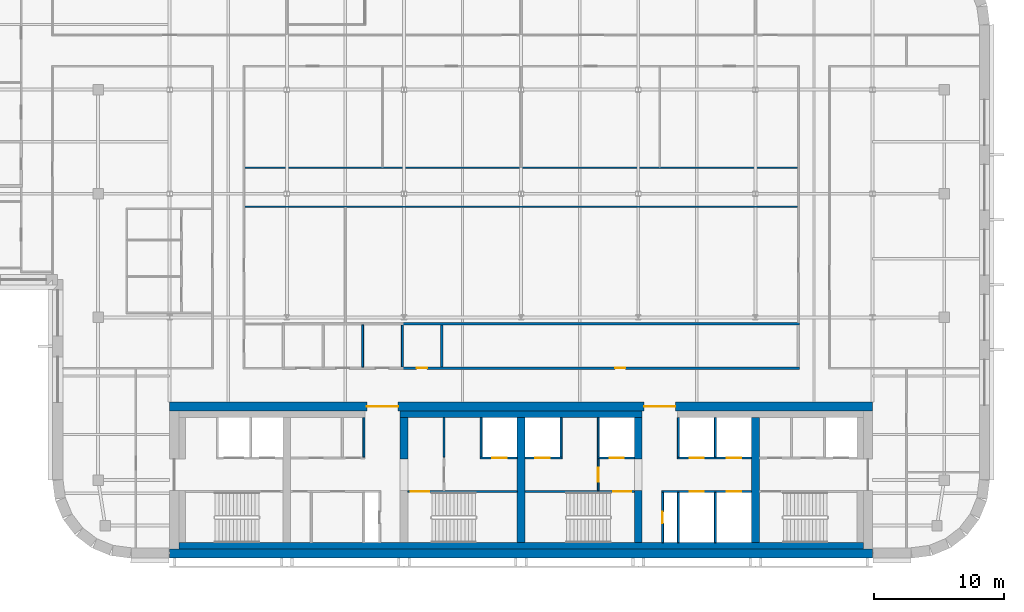
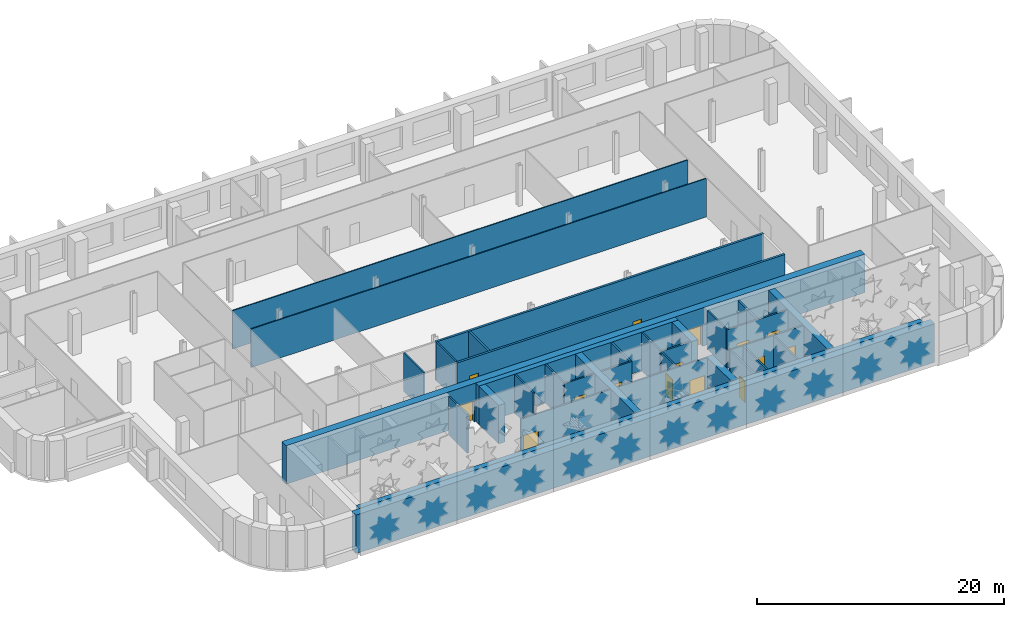
# One storey, part 9 of 18: 34 walls, 15 doors, 15 openings.
"""IFC4 building model written with IfcOpenShell, lengths in metres."""

from ifc_helpers import new_model, si_unit, direction, frame, frame_2d, origin, place, context, subcontext, project, spatial, rectangle, extrude, material, layer, layer_set, type_object, element, fill, save


model = new_model("IFC4")

# Units and contexts
model_context = context("Model", 3, precision=1e-05, world=origin(), true_north=direction((0.0, 1.0)))
body_context = subcontext(model_context, "Body", "Model", "MODEL_VIEW")
ifc_project = project(units=[si_unit("LENGTHUNIT", "METRE"), si_unit("AREAUNIT", "SQUARE_METRE"), si_unit("VOLUMEUNIT", "CUBIC_METRE"), si_unit("PLANEANGLEUNIT", "RADIAN"), si_unit("MASSUNIT", "GRAM", prefix="KILO")], contexts=[model_context])

# Site, building, storey
site_placement = place(None, origin())
site = spatial("IfcSite", under=ifc_project, at=site_placement, CompositionType="ELEMENT")
building_placement = place(site_placement, origin())
building = spatial("IfcBuilding", under=site, at=building_placement, Name="Zellij Exchange Tower", CompositionType="ELEMENT")
storey_placement = place(building_placement, frame((0.0, 0.0, 240.5)))
storey = spatial("IfcBuildingStorey", under=building, at=storey_placement, Name="L56", CompositionType="ELEMENT", Elevation=240.5)

# Walls
ifc_material_1 = material(Name="Concrete C50/60", Category="concrete")
ifc_layer_1 = layer(ifc_material_1, 0.60009765625)
ifc_layer_set_1 = layer_set([ifc_layer_1], Name="Concrete C50/60")
wall_type_1 = type_object("IfcWallType", Name="CORE-CW 600 C50/60", PredefinedType="SHEAR", material=ifc_layer_set_1)
wall_1_placement = place(storey_placement, frame((-9.0, -6.375, 0.0), z_axis=(0.0, 0.0, 1.0), x_axis=(0.0, 1.0, 0.0)))
element("IfcWall", 1, at=wall_1_placement, inside=storey, type_object=wall_type_1, Name="Core cross wall pier x -9 b L56", PredefinedType="SHEAR", context=body_context, shape_type="SweptSolid", body=[
    extrude(rectangle(XDim=3.175048828125, YDim=0.60009765625, at=frame_2d((1.58740234375, 0.0))), origin(), (0.0, 0.0, 1.0), 3.800048828125),
])
wall_2_placement = place(storey_placement, frame((0.0, -12.800048828125, 0.0), z_axis=(0.0, 0.0, 1.0), x_axis=(0.0, 1.0, 0.0)))
element("IfcWall", 2, at=wall_2_placement, inside=storey, type_object=wall_type_1, Name="Core cross wall x 0 L56", PredefinedType="SHEAR", context=body_context, shape_type="SweptSolid", body=[
    extrude(rectangle(XDim=9.60009765625, YDim=0.60009765625, at=frame_2d((4.800048828125, 0.0))), origin(), (0.0, 0.0, 1.0), 3.800048828125),
])
wall_3_placement = place(storey_placement, frame((9.0, -12.800048828125, 0.0), z_axis=(0.0, 0.0, 1.0), x_axis=(0.0, 1.0, 0.0)))
element("IfcWall", 3, at=wall_3_placement, inside=storey, type_object=wall_type_1, Name="Core cross wall pier x 9 a L56", PredefinedType="SHEAR", context=body_context, shape_type="SweptSolid", body=[
    extrude(rectangle(XDim=4.0, YDim=0.60009765625, at=frame_2d((2.0, 0.0))), origin(), (0.0, 0.0, 1.0), 3.800048828125),
])
wall_4_placement = place(storey_placement, frame((9.0, -6.375, 0.0), z_axis=(0.0, 0.0, 1.0), x_axis=(0.0, 1.0, 0.0)))
element("IfcWall", 4, at=wall_4_placement, inside=storey, type_object=wall_type_1, Name="Core cross wall pier x 9 b L56", PredefinedType="SHEAR", context=body_context, shape_type="SweptSolid", body=[
    extrude(rectangle(XDim=3.175048828125, YDim=0.60009765625, at=frame_2d((1.58740234375, 0.0))), origin(), (0.0, 0.0, 1.0), 3.800048828125),
])
wall_5_placement = place(storey_placement, frame((18.0, -12.800048828125, 0.0), z_axis=(0.0, 0.0, 1.0), x_axis=(0.0, 1.0, 0.0)))
element("IfcWall", 5, at=wall_5_placement, inside=storey, type_object=wall_type_1, Name="Core cross wall x 18 L56", PredefinedType="SHEAR", context=body_context, shape_type="SweptSolid", body=[
    extrude(rectangle(XDim=9.60009765625, YDim=0.60009765625, at=frame_2d((4.800048828125, 0.0))), origin(), (0.0, 0.0, 1.0), 3.800048828125),
])
ifc_material_2 = material(Name="Concrete C30/37", Category="concrete")
ifc_layer_2 = layer(ifc_material_2, 0.5)
ifc_layer_set_2 = layer_set([ifc_layer_2], Name="Concrete C30/37")
wall_type_2 = type_object("IfcWallType", Name="CORE-LW 500 C30/37", PredefinedType="SHEAR", material=ifc_layer_set_2)
wall_6_placement = place(storey_placement, frame((-9.300048828125, -2.949951171875, 0.0), z_axis=(0.0, 0.0, 1.0), x_axis=(1.0, 0.0, 0.0)))
element("IfcWall", 6, at=wall_6_placement, inside=storey, type_object=wall_type_2, Name="Core wall lining front.1 L56", PredefinedType="SHEAR", context=body_context, shape_type="SweptSolid", body=[
    extrude(rectangle(XDim=18.60009765625, YDim=0.5, at=frame_2d((9.300048828125, 0.0))), origin(), (0.0, 0.0, 1.0), 3.800048828125),
])
wall_7_placement = place(storey_placement, frame((-26.300048828125, -13.050048828125, 0.0), z_axis=(0.0, 0.0, 1.0), x_axis=(1.0, 0.0, 0.0)))
element("IfcWall", 7, at=wall_7_placement, inside=storey, type_object=wall_type_2, Name="Core wall lining rear.0 L56", PredefinedType="SHEAR", context=body_context, shape_type="SweptSolid", body=[
    extrude(rectangle(XDim=52.60009765625, YDim=0.5, at=frame_2d((26.300048828125, 0.0))), origin(), (0.0, 0.0, 1.0), 3.800048828125),
])

# Wall, opening, door
ifc_material_3 = material(Name="Gypsum shaft wall system")
ifc_layer_3 = layer(ifc_material_3, 0.14990234375)
ifc_layer_set_3 = layer_set([ifc_layer_3], Name="Gypsum shaft wall system")
wall_type_3 = type_object("IfcWallType", Name="CORE-PW 150 Firefighting lobby wall", PredefinedType="PARTITIONING", material=ifc_layer_set_3)
wall_8_placement = place(storey_placement, frame((5.925048828125, -8.800048828125, 0.0), z_axis=(0.0, 0.0, 1.0), x_axis=(0.0, 1.0, 0.0)))
wall_8 = element("IfcWall", 8, at=wall_8_placement, inside=storey, type_object=wall_type_3, Name="Firefighting lobby wall L56", PredefinedType="PARTITIONING", context=body_context, shape_type="SweptSolid", body=[
    extrude(rectangle(XDim=2.425048828125, YDim=0.14990234375, at=frame_2d((1.21240234375, 0.0))), origin(), (0.0, 0.0, 1.0), 3.800048828125),
])
opening_1_placement = place(wall_8_placement, frame((0.662109375, 0.0, 0.0)))
opening_1 = element("IfcOpeningElement", 9, at=opening_1_placement, cuts=wall_8, Name="Opening CA-29.15", PredefinedType="OPENING", context=body_context, shape_type="SweptSolid", body=[
    extrude(rectangle(XDim=1.10009765625, YDim=2.10009765625, at=frame_2d((0.550048828125, 1.050048828125))), frame((0.0, 0.0869140625, 0.0), z_axis=(0.0, -1.0, 0.0), x_axis=(1.0, 0.0, 0.0)), (0.0, 0.0, 1.0), 0.173828125),
])
ifc_material_4 = material(Name="Hollow metal fire door")
door_type_1 = type_object("IfcDoorType", Name="CORE-D F Firefighting lobby door 1100x2100 1 HR", OperationType="NOTDEFINED", PredefinedType="DOOR", material=ifc_material_4)
door_1_placement = place(opening_1_placement, origin())
door_1 = element("IfcDoor", 10, at=door_1_placement, inside=storey, type_object=door_type_1, Name="Firefighting lobby door CA-29.15", OperationType="SINGLE_SWING_RIGHT", OverallHeight=2.10009765625, OverallWidth=1.10009765625, PredefinedType="DOOR", context=body_context, shape_type="SweptSolid", body=[
    extrude(rectangle(XDim=1.10009765625, YDim=2.10009765625, at=frame_2d((0.550048828125, 1.050048828125))), frame((0.0, 0.02490234375, 0.0), z_axis=(0.0, -1.0, 0.0), x_axis=(1.0, 0.0, 0.0)), (0.0, 0.0, 1.0), 0.050048828125),
])
fill(opening_1, door_1)

# Walls
ifc_material_5 = material(Name="Gypsum board partition")
ifc_layer_4 = layer(ifc_material_5, 0.14990234375)
ifc_layer_set_4 = layer_set([ifc_layer_4], Name="Gypsum board partition")
wall_type_4 = type_object("IfcWallType", Name="CORE-PW 150 Lift lobby wall", PredefinedType="PARTITIONING", material=ifc_layer_set_4)
for number, where, z_axis, x_axis, name in (
    (11, (-12.074951171875, -6.22509765625, 0.0), (0.0, 0.0, 1.0), (0.0, 1.0, 0.0), "Lift lobby wall L56"),
    (12, (-5.925048828125, -6.22509765625, 0.0), (0.0, 0.0, 1.0), (0.0, 1.0, 0.0), "Lift lobby wall L56"),
):
    element("IfcWall", number, at=place(storey_placement, frame(where, z_axis=z_axis, x_axis=x_axis)), inside=storey, type_object=wall_type_4, Name=name, PredefinedType="PARTITIONING", context=body_context, shape_type="SweptSolid", body=[
        extrude(rectangle(XDim=3.025146484375, YDim=0.14990234375, at=frame_2d((1.5126953125, 0.0))), origin(), (0.0, 0.0, 1.0), 3.800048828125),
    ])

# Wall, opening, door
wall_9_placement = place(storey_placement, frame((10.875, -12.800048828125, 0.0), z_axis=(0.0, 0.0, 1.0), x_axis=(0.0, 1.0, 0.0)))
wall_9 = element("IfcWall", 13, at=wall_9_placement, inside=storey, type_object=wall_type_4, Name="Lift lobby wall L56", PredefinedType="PARTITIONING", context=body_context, shape_type="SweptSolid", body=[
    extrude(rectangle(XDim=3.85009765625, YDim=0.14990234375, at=frame_2d((1.925048828125, 0.0))), origin(), (0.0, 0.0, 1.0), 3.800048828125),
])
opening_2_placement = place(wall_9_placement, frame((1.47509765625, 0.0, 0.0)))
opening_2 = element("IfcOpeningElement", 14, at=opening_2_placement, cuts=wall_9, Name="Opening CA-29.19", PredefinedType="OPENING", context=body_context, shape_type="SweptSolid", body=[
    extrude(rectangle(XDim=0.89990234375, YDim=2.10009765625, at=frame_2d((0.449951171875, 1.050048828125))), frame((0.0, 0.0869140625, 0.0), z_axis=(0.0, -1.0, 0.0), x_axis=(1.0, 0.0, 0.0)), (0.0, 0.0, 1.0), 0.173828125),
])
door_type_2 = type_object("IfcDoorType", Name="CORE-D RD Riser door 900x2100 1.5 HR", OperationType="NOTDEFINED", PredefinedType="DOOR", material=ifc_material_4)
door_2_placement = place(opening_2_placement, origin())
door_2 = element("IfcDoor", 15, at=door_2_placement, inside=storey, type_object=door_type_2, Name="Riser door CA-29.19", OperationType="SINGLE_SWING_LEFT", OverallHeight=2.10009765625, OverallWidth=0.89990234375, PredefinedType="DOOR", context=body_context, shape_type="SweptSolid", body=[
    extrude(rectangle(XDim=0.89990234375, YDim=2.10009765625, at=frame_2d((0.449951171875, 1.050048828125))), frame((0.0, 0.02490234375, 0.0), z_axis=(0.0, -1.0, 0.0), x_axis=(1.0, 0.0, 0.0)), (0.0, 0.0, 1.0), 0.050048828125),
])
fill(opening_2, door_2)

# Walls
ifc_layer_5 = layer(ifc_material_3, 0.14990234375)
ifc_layer_set_5 = layer_set([ifc_layer_5], Name="Gypsum shaft wall system")
wall_type_5 = type_object("IfcWallType", Name="CORE-PW 150 Lift shaft wall", PredefinedType="PARTITIONING", material=ifc_layer_set_5)
for number, where, z_axis, x_axis, name in (
    (16, (-3.074951171875, -6.22509765625, 0.0), (0.0, 0.0, 1.0), (0.0, 1.0, 0.0), "Lift shaft wall L56"),
    (17, (3.074951171875, -6.22509765625, 0.0), (0.0, 0.0, 1.0), (0.0, 1.0, 0.0), "Lift shaft wall L56"),
    (18, (5.925048828125, -6.22509765625, 0.0), (0.0, 0.0, 1.0), (0.0, 1.0, 0.0), "Lift shaft wall L56"),
    (19, (12.074951171875, -6.22509765625, 0.0), (0.0, 0.0, 1.0), (0.0, 1.0, 0.0), "Lift shaft wall L56"),
    (20, (14.925048828125, -6.22509765625, 0.0), (0.0, 0.0, 1.0), (0.0, 1.0, 0.0), "Lift shaft wall L56"),
):
    element("IfcWall", number, at=place(storey_placement, frame(where, z_axis=z_axis, x_axis=x_axis)), inside=storey, type_object=wall_type_5, Name=name, PredefinedType="PARTITIONING", context=body_context, shape_type="SweptSolid", body=[
        extrude(rectangle(XDim=3.025146484375, YDim=0.14990234375, at=frame_2d((1.5126953125, 0.0))), origin(), (0.0, 0.0, 1.0), 3.800048828125),
    ])
for number, where, z_axis, x_axis, name in (
    (21, (12.074951171875, -12.800048828125, 0.0), (0.0, 0.0, 1.0), (0.0, 1.0, 0.0), "Lift shaft wall L56"),
    (22, (14.925048828125, -12.800048828125, 0.0), (0.0, 0.0, 1.0), (0.0, 1.0, 0.0), "Lift shaft wall L56"),
):
    element("IfcWall", number, at=place(storey_placement, frame(where, z_axis=z_axis, x_axis=x_axis)), inside=storey, type_object=wall_type_5, Name=name, PredefinedType="PARTITIONING", context=body_context, shape_type="SweptSolid", body=[
        extrude(rectangle(XDim=3.85009765625, YDim=0.14990234375, at=frame_2d((1.925048828125, 0.0))), origin(), (0.0, 0.0, 1.0), 3.800048828125),
    ])

# Wall, opening, door
wall_10_placement = place(storey_placement, frame((-3.14990234375, -6.300048828125, 0.0), z_axis=(0.0, 0.0, 1.0), x_axis=(1.0, 0.0, 0.0)))
wall_10 = element("IfcWall", 23, at=wall_10_placement, inside=storey, type_object=wall_type_5, Name="Lift shaft wall L56", PredefinedType="PARTITIONING", context=body_context, shape_type="SweptSolid", body=[
    extrude(rectangle(XDim=2.849853515625, YDim=0.14990234375, at=frame_2d((1.4248046875, 0.0))), origin(), (0.0, 0.0, 1.0), 3.800048828125),
])
opening_3_placement = place(wall_10_placement, frame((0.949951171875, 0.0, 0.0)))
opening_3 = element("IfcOpeningElement", 24, at=opening_3_placement, cuts=wall_10, Name="Opening CA-29.13", PredefinedType="OPENING", context=body_context, shape_type="SweptSolid", body=[
    extrude(rectangle(XDim=1.10009765625, YDim=2.10009765625, at=frame_2d((0.550048828125, 1.050048828125))), frame((0.0, 0.0869140625, 0.0), z_axis=(0.0, -1.0, 0.0), x_axis=(1.0, 0.0, 0.0)), (0.0, 0.0, 1.0), 0.173828125),
])
door_type_3 = type_object("IfcDoorType", Name="CORE-D LD Lift landing door 1100x2100 1.5 HR", OperationType="NOTDEFINED", PredefinedType="DOOR", material=ifc_material_4)
door_3_placement = place(opening_3_placement, origin())
door_3 = element("IfcDoor", 25, at=door_3_placement, inside=storey, type_object=door_type_3, Name="Lift landing door CA-29.13", OperationType="SLIDING_TO_LEFT", OverallHeight=2.10009765625, OverallWidth=1.10009765625, PredefinedType="DOOR", context=body_context, shape_type="SweptSolid", body=[
    extrude(rectangle(XDim=1.10009765625, YDim=2.10009765625, at=frame_2d((0.550048828125, 1.050048828125))), frame((0.0, 0.02490234375, 0.0), z_axis=(0.0, -1.0, 0.0), x_axis=(1.0, 0.0, 0.0)), (0.0, 0.0, 1.0), 0.050048828125),
])
fill(opening_3, door_3)

wall_11_placement = place(storey_placement, frame((0.300048828125, -6.300048828125, 0.0), z_axis=(0.0, 0.0, 1.0), x_axis=(1.0, 0.0, 0.0)))
wall_11 = element("IfcWall", 26, at=wall_11_placement, inside=storey, type_object=wall_type_5, Name="Lift shaft wall L56", PredefinedType="PARTITIONING", context=body_context, shape_type="SweptSolid", body=[
    extrude(rectangle(XDim=2.849853515625, YDim=0.14990234375, at=frame_2d((1.4248046875, 0.0))), origin(), (0.0, 0.0, 1.0), 3.800048828125),
])
opening_4_placement = place(wall_11_placement, frame((0.800048828125, 0.0, 0.0)))
opening_4 = element("IfcOpeningElement", 27, at=opening_4_placement, cuts=wall_11, Name="Opening CA-29.14", PredefinedType="OPENING", context=body_context, shape_type="SweptSolid", body=[
    extrude(rectangle(XDim=1.10009765625, YDim=2.10009765625, at=frame_2d((0.550048828125, 1.050048828125))), frame((0.0, 0.0869140625, 0.0), z_axis=(0.0, -1.0, 0.0), x_axis=(1.0, 0.0, 0.0)), (0.0, 0.0, 1.0), 0.173828125),
])
door_4_placement = place(opening_4_placement, origin())
door_4 = element("IfcDoor", 28, at=door_4_placement, inside=storey, type_object=door_type_3, Name="Lift landing door CA-29.14", OperationType="SLIDING_TO_RIGHT", OverallHeight=2.10009765625, OverallWidth=1.10009765625, PredefinedType="DOOR", context=body_context, shape_type="SweptSolid", body=[
    extrude(rectangle(XDim=1.10009765625, YDim=2.10009765625, at=frame_2d((0.550048828125, 1.050048828125))), frame((0.0, 0.02490234375, 0.0), z_axis=(0.0, -1.0, 0.0), x_axis=(1.0, 0.0, 0.0)), (0.0, 0.0, 1.0), 0.050048828125),
])
fill(opening_4, door_4)

wall_12_placement = place(storey_placement, frame((5.85009765625, -6.300048828125, 0.0), z_axis=(0.0, 0.0, 1.0), x_axis=(1.0, 0.0, 0.0)))
wall_12 = element("IfcWall", 29, at=wall_12_placement, inside=storey, type_object=wall_type_5, Name="Lift shaft wall L56", PredefinedType="PARTITIONING", context=body_context, shape_type="SweptSolid", body=[
    extrude(rectangle(XDim=2.849853515625, YDim=0.14990234375, at=frame_2d((1.4248046875, 0.0))), origin(), (0.0, 0.0, 1.0), 3.800048828125),
])
opening_5_placement = place(wall_12_placement, frame((0.949951171875, 0.0, 0.0)))
opening_5 = element("IfcOpeningElement", 30, at=opening_5_placement, cuts=wall_12, Name="Opening CA-29.16", PredefinedType="OPENING", context=body_context, shape_type="SweptSolid", body=[
    extrude(rectangle(XDim=1.10009765625, YDim=2.10009765625, at=frame_2d((0.550048828125, 1.050048828125))), frame((0.0, 0.0869140625, 0.0), z_axis=(0.0, -1.0, 0.0), x_axis=(1.0, 0.0, 0.0)), (0.0, 0.0, 1.0), 0.173828125),
])
door_5_placement = place(opening_5_placement, origin())
door_5 = element("IfcDoor", 31, at=door_5_placement, inside=storey, type_object=door_type_3, Name="Lift landing door CA-29.16", OperationType="SLIDING_TO_RIGHT", OverallHeight=2.10009765625, OverallWidth=1.10009765625, PredefinedType="DOOR", context=body_context, shape_type="SweptSolid", body=[
    extrude(rectangle(XDim=1.10009765625, YDim=2.10009765625, at=frame_2d((0.550048828125, 1.050048828125))), frame((0.0, 0.02490234375, 0.0), z_axis=(0.0, -1.0, 0.0), x_axis=(1.0, 0.0, 0.0)), (0.0, 0.0, 1.0), 0.050048828125),
])
fill(opening_5, door_5)

# Wall, openings, doors
wall_13_placement = place(storey_placement, frame((12.0, -6.300048828125, 0.0), z_axis=(0.0, 0.0, 1.0), x_axis=(1.0, 0.0, 0.0)))
wall_13 = element("IfcWall", 32, at=wall_13_placement, inside=storey, type_object=wall_type_5, Name="Lift shaft wall L56", PredefinedType="PARTITIONING", context=body_context, shape_type="SweptSolid", body=[
    extrude(rectangle(XDim=5.699951171875, YDim=0.14990234375, at=frame_2d((2.85009765625, 0.0))), origin(), (0.0, 0.0, 1.0), 3.800048828125),
])
opening_6_placement = place(wall_13_placement, frame((0.949951171875, 0.0, 0.0)))
opening_6 = element("IfcOpeningElement", 33, at=opening_6_placement, cuts=wall_13, Name="Opening CA-29.21", PredefinedType="OPENING", context=body_context, shape_type="SweptSolid", body=[
    extrude(rectangle(XDim=1.10009765625, YDim=2.10009765625, at=frame_2d((0.550048828125, 1.050048828125))), frame((0.0, 0.0869140625, 0.0), z_axis=(0.0, -1.0, 0.0), x_axis=(1.0, 0.0, 0.0)), (0.0, 0.0, 1.0), 0.173828125),
])
opening_7_placement = place(wall_13_placement, frame((3.800048828125, 0.0, 0.0)))
opening_7 = element("IfcOpeningElement", 34, at=opening_7_placement, cuts=wall_13, Name="Opening CA-29.23", PredefinedType="OPENING", context=body_context, shape_type="SweptSolid", body=[
    extrude(rectangle(XDim=1.10009765625, YDim=2.10009765625, at=frame_2d((0.550048828125, 1.050048828125))), frame((0.0, 0.0869140625, 0.0), z_axis=(0.0, -1.0, 0.0), x_axis=(1.0, 0.0, 0.0)), (0.0, 0.0, 1.0), 0.173828125),
])
door_6_placement = place(opening_6_placement, origin())
door_6 = element("IfcDoor", 35, at=door_6_placement, inside=storey, type_object=door_type_3, Name="Lift landing door CA-29.21", OperationType="SLIDING_TO_LEFT", OverallHeight=2.10009765625, OverallWidth=1.10009765625, PredefinedType="DOOR", context=body_context, shape_type="SweptSolid", body=[
    extrude(rectangle(XDim=1.10009765625, YDim=2.10009765625, at=frame_2d((0.550048828125, 1.050048828125))), frame((0.0, 0.02490234375, 0.0), z_axis=(0.0, -1.0, 0.0), x_axis=(1.0, 0.0, 0.0)), (0.0, 0.0, 1.0), 0.050048828125),
])
fill(opening_6, door_6)
door_7_placement = place(opening_7_placement, origin())
door_7 = element("IfcDoor", 36, at=door_7_placement, inside=storey, type_object=door_type_3, Name="Lift landing door CA-29.23", OperationType="SLIDING_TO_LEFT", OverallHeight=2.10009765625, OverallWidth=1.10009765625, PredefinedType="DOOR", context=body_context, shape_type="SweptSolid", body=[
    extrude(rectangle(XDim=1.10009765625, YDim=2.10009765625, at=frame_2d((0.550048828125, 1.050048828125))), frame((0.0, 0.02490234375, 0.0), z_axis=(0.0, -1.0, 0.0), x_axis=(1.0, 0.0, 0.0)), (0.0, 0.0, 1.0), 0.050048828125),
])
fill(opening_7, door_7)

wall_14_placement = place(storey_placement, frame((10.800048828125, -8.875, 0.0), z_axis=(0.0, 0.0, 1.0), x_axis=(1.0, 0.0, 0.0)))
wall_14 = element("IfcWall", 37, at=wall_14_placement, inside=storey, type_object=wall_type_5, Name="Lift shaft wall L56", PredefinedType="PARTITIONING", context=body_context, shape_type="SweptSolid", body=[
    extrude(rectangle(XDim=6.89990234375, YDim=0.14990234375, at=frame_2d((3.449951171875, 0.0))), origin(), (0.0, 0.0, 1.0), 3.800048828125),
])
opening_8_placement = place(wall_14_placement, frame((2.14990234375, 0.0, 0.0)))
opening_8 = element("IfcOpeningElement", 38, at=opening_8_placement, cuts=wall_14, Name="Opening CA-29.20", PredefinedType="OPENING", context=body_context, shape_type="SweptSolid", body=[
    extrude(rectangle(XDim=1.10009765625, YDim=2.10009765625, at=frame_2d((0.550048828125, 1.050048828125))), frame((0.0, 0.0869140625, 0.0), z_axis=(0.0, -1.0, 0.0), x_axis=(1.0, 0.0, 0.0)), (0.0, 0.0, 1.0), 0.173828125),
])
opening_9_placement = place(wall_14_placement, frame((5.0, 0.0, 0.0)))
opening_9 = element("IfcOpeningElement", 39, at=opening_9_placement, cuts=wall_14, Name="Opening CA-29.22", PredefinedType="OPENING", context=body_context, shape_type="SweptSolid", body=[
    extrude(rectangle(XDim=1.10009765625, YDim=2.10009765625, at=frame_2d((0.550048828125, 1.050048828125))), frame((0.0, 0.0869140625, 0.0), z_axis=(0.0, -1.0, 0.0), x_axis=(1.0, 0.0, 0.0)), (0.0, 0.0, 1.0), 0.173828125),
])
door_8_placement = place(opening_8_placement, origin())
door_8 = element("IfcDoor", 40, at=door_8_placement, inside=storey, type_object=door_type_3, Name="Lift landing door CA-29.20", OperationType="SLIDING_TO_RIGHT", OverallHeight=2.10009765625, OverallWidth=1.10009765625, PredefinedType="DOOR", context=body_context, shape_type="SweptSolid", body=[
    extrude(rectangle(XDim=1.10009765625, YDim=2.10009765625, at=frame_2d((0.550048828125, 1.050048828125))), frame((0.0, 0.02490234375, 0.0), z_axis=(0.0, -1.0, 0.0), x_axis=(1.0, 0.0, 0.0)), (0.0, 0.0, 1.0), 0.050048828125),
])
fill(opening_8, door_8)
door_9_placement = place(opening_9_placement, origin())
door_9 = element("IfcDoor", 41, at=door_9_placement, inside=storey, type_object=door_type_3, Name="Lift landing door CA-29.22", OperationType="SLIDING_TO_RIGHT", OverallHeight=2.10009765625, OverallWidth=1.10009765625, PredefinedType="DOOR", context=body_context, shape_type="SweptSolid", body=[
    extrude(rectangle(XDim=1.10009765625, YDim=2.10009765625, at=frame_2d((0.550048828125, 1.050048828125))), frame((0.0, 0.02490234375, 0.0), z_axis=(0.0, -1.0, 0.0), x_axis=(1.0, 0.0, 0.0)), (0.0, 0.0, 1.0), 0.050048828125),
])
fill(opening_9, door_9)

ifc_layer_6 = layer(ifc_material_1, 0.699951171875)
ifc_layer_set_6 = layer_set([ifc_layer_6], Name="Concrete C50/60")
wall_type_6 = type_object("IfcWallType", Name="CORE-SW 700 C50/60", PredefinedType="SHEAR", material=ifc_layer_set_6)
wall_15_placement = place(storey_placement, frame((-27.0, -2.35009765625, 0.0), z_axis=(0.0, 0.0, 1.0), x_axis=(1.0, 0.0, 0.0)))
wall_15 = element("IfcWall", 42, at=wall_15_placement, inside=storey, type_object=wall_type_6, Name="Core shear wall front L56", PredefinedType="SHEAR", context=body_context, shape_type="SweptSolid", body=[
    extrude(rectangle(XDim=54.0, YDim=0.699951171875, at=frame_2d((27.0, 0.0))), origin(), (0.0, 0.0, 1.0), 3.800048828125),
])
opening_10_placement = place(wall_15_placement, frame((15.14990234375, 0.0, 0.0)))
opening_10 = element("IfcOpeningElement", 43, at=opening_10_placement, cuts=wall_15, Name="Opening CA-29.10", PredefinedType="OPENING", context=body_context, shape_type="SweptSolid", body=[
    extrude(rectangle(XDim=2.39990234375, YDim=2.10009765625, at=frame_2d((1.199951171875, 1.050048828125))), frame((0.0, 0.36181640625, 0.0), z_axis=(0.0, -1.0, 0.0), x_axis=(1.0, 0.0, 0.0)), (0.0, 0.0, 1.0), 0.723876953125),
])
opening_11_placement = place(wall_15_placement, frame((36.449951171875, 0.0, 0.0)))
opening_11 = element("IfcOpeningElement", 44, at=opening_11_placement, cuts=wall_15, Name="Opening CA-29.18", PredefinedType="OPENING", context=body_context, shape_type="SweptSolid", body=[
    extrude(rectangle(XDim=2.39990234375, YDim=2.10009765625, at=frame_2d((1.199951171875, 1.050048828125))), frame((0.0, 0.36181640625, 0.0), z_axis=(0.0, -1.0, 0.0), x_axis=(1.0, 0.0, 0.0)), (0.0, 0.0, 1.0), 0.723876953125),
])
door_type_4 = type_object("IfcDoorType", Name="CORE-D CE Core entrance door 2400x2100 20 MIN", OperationType="NOTDEFINED", PredefinedType="DOOR", material=ifc_material_4)
door_10_placement = place(opening_10_placement, origin())
door_10 = element("IfcDoor", 45, at=door_10_placement, inside=storey, type_object=door_type_4, Name="Core entrance door CA-29.10", OperationType="DOUBLE_DOOR_SINGLE_SWING", OverallHeight=2.10009765625, OverallWidth=2.39990234375, PredefinedType="DOOR", context=body_context, shape_type="SweptSolid", body=[
    extrude(rectangle(XDim=2.39990234375, YDim=2.10009765625, at=frame_2d((1.199951171875, 1.050048828125))), frame((0.0, 0.02490234375, 0.0), z_axis=(0.0, -1.0, 0.0), x_axis=(1.0, 0.0, 0.0)), (0.0, 0.0, 1.0), 0.050048828125),
])
fill(opening_10, door_10)
door_11_placement = place(opening_11_placement, origin())
door_11 = element("IfcDoor", 46, at=door_11_placement, inside=storey, type_object=door_type_4, Name="Core entrance door CA-29.18", OperationType="DOUBLE_DOOR_SINGLE_SWING", OverallHeight=2.10009765625, OverallWidth=2.39990234375, PredefinedType="DOOR", context=body_context, shape_type="SweptSolid", body=[
    extrude(rectangle(XDim=2.39990234375, YDim=2.10009765625, at=frame_2d((1.199951171875, 1.050048828125))), frame((0.0, 0.02490234375, 0.0), z_axis=(0.0, -1.0, 0.0), x_axis=(1.0, 0.0, 0.0)), (0.0, 0.0, 1.0), 0.050048828125),
])
fill(opening_11, door_11)

# Wall
wall_16_placement = place(storey_placement, frame((-27.0, -13.64990234375, 0.0), z_axis=(0.0, 0.0, 1.0), x_axis=(1.0, 0.0, 0.0)))
element("IfcWall", 47, at=wall_16_placement, inside=storey, type_object=wall_type_6, Name="Core shear wall rear L56", PredefinedType="SHEAR", context=body_context, shape_type="SweptSolid", body=[
    extrude(rectangle(XDim=54.0, YDim=0.699951171875, at=frame_2d((27.0, 0.0))), origin(), (0.0, 0.0, 1.0), 3.800048828125),
])

# Wall, opening, door
ifc_layer_7 = layer(ifc_material_1, 0.14990234375)
ifc_layer_set_7 = layer_set([ifc_layer_7], Name="Concrete C50/60")
wall_type_7 = type_object("IfcWallType", Name="CORE-SWS 150 C50/60", PredefinedType="SHEAR", material=ifc_layer_set_7)
wall_17_placement = place(storey_placement, frame((-8.699951171875, -8.875, 0.0), z_axis=(0.0, 0.0, 1.0), x_axis=(1.0, 0.0, 0.0)))
wall_17 = element("IfcWall", 48, at=wall_17_placement, inside=storey, type_object=wall_type_7, Name="Stair enclosure wall L56", PredefinedType="SHEAR", context=body_context, shape_type="SweptSolid", body=[
    extrude(rectangle(XDim=8.39990234375, YDim=0.14990234375, at=frame_2d((4.199951171875, 0.0))), origin(), (0.0, 0.0, 1.0), 3.800048828125),
])
opening_12_placement = place(wall_17_placement, frame((0.22509765625, 0.0, 0.0)))
opening_12 = element("IfcOpeningElement", 49, at=opening_12_placement, cuts=wall_17, Name="Opening CA-29.11", PredefinedType="OPENING", context=body_context, shape_type="SweptSolid", body=[
    extrude(rectangle(XDim=1.39990234375, YDim=2.10009765625, at=frame_2d((0.699951171875, 1.050048828125))), frame((0.0, 0.0869140625, 0.0), z_axis=(0.0, -1.0, 0.0), x_axis=(1.0, 0.0, 0.0)), (0.0, 0.0, 1.0), 0.173828125),
])
door_type_5 = type_object("IfcDoorType", Name="CORE-D SD Stair door 1400x2100 1.5 HR", OperationType="NOTDEFINED", PredefinedType="DOOR", material=ifc_material_4)
door_12_placement = place(opening_12_placement, origin())
door_12 = element("IfcDoor", 50, at=door_12_placement, inside=storey, type_object=door_type_5, Name="Stair door CA-29.11", OperationType="DOUBLE_DOOR_SINGLE_SWING", OverallHeight=2.10009765625, OverallWidth=1.39990234375, PredefinedType="DOOR", context=body_context, shape_type="SweptSolid", body=[
    extrude(rectangle(XDim=1.39990234375, YDim=2.10009765625, at=frame_2d((0.699951171875, 1.050048828125))), frame((0.0, 0.02490234375, 0.0), z_axis=(0.0, -1.0, 0.0), x_axis=(1.0, 0.0, 0.0)), (0.0, 0.0, 1.0), 0.050048828125),
])
fill(opening_12, door_12)

wall_18_placement = place(storey_placement, frame((0.300048828125, -8.875, 0.0), z_axis=(0.0, 0.0, 1.0), x_axis=(1.0, 0.0, 0.0)))
wall_18 = element("IfcWall", 51, at=wall_18_placement, inside=storey, type_object=wall_type_7, Name="Stair enclosure wall L56", PredefinedType="SHEAR", context=body_context, shape_type="SweptSolid", body=[
    extrude(rectangle(XDim=8.39990234375, YDim=0.14990234375, at=frame_2d((4.199951171875, 0.0))), origin(), (0.0, 0.0, 1.0), 3.800048828125),
])
opening_13_placement = place(wall_18_placement, frame((6.77490234375, 0.0, 0.0)))
opening_13 = element("IfcOpeningElement", 52, at=opening_13_placement, cuts=wall_18, Name="Opening CA-29.17", PredefinedType="OPENING", context=body_context, shape_type="SweptSolid", body=[
    extrude(rectangle(XDim=1.39990234375, YDim=2.10009765625, at=frame_2d((0.699951171875, 1.050048828125))), frame((0.0, 0.0869140625, 0.0), z_axis=(0.0, -1.0, 0.0), x_axis=(1.0, 0.0, 0.0)), (0.0, 0.0, 1.0), 0.173828125),
])
door_13_placement = place(opening_13_placement, origin())
door_13 = element("IfcDoor", 53, at=door_13_placement, inside=storey, type_object=door_type_5, Name="Stair door CA-29.17", OperationType="DOUBLE_DOOR_SINGLE_SWING", OverallHeight=2.10009765625, OverallWidth=1.39990234375, PredefinedType="DOOR", context=body_context, shape_type="SweptSolid", body=[
    extrude(rectangle(XDim=1.39990234375, YDim=2.10009765625, at=frame_2d((0.699951171875, 1.050048828125))), frame((0.0, 0.02490234375, 0.0), z_axis=(0.0, -1.0, 0.0), x_axis=(1.0, 0.0, 0.0)), (0.0, 0.0, 1.0), 0.050048828125),
])
fill(opening_13, door_13)

# Wall, openings, doors
ifc_material_6 = material(Name="Blockwork partition", Category="masonry")
ifc_layer_8 = layer(ifc_material_6, 0.199951171875)
ifc_layer_set_8 = layer_set([ifc_layer_8], Name="Blockwork partition")
wall_type_8 = type_object("IfcWallType", Name="FIT-BLOCKWORK-200", PredefinedType="PARTITIONING", material=ifc_layer_set_8)
wall_19_placement = place(storey_placement, frame((-9.205078125, 0.60009765625, 0.0), z_axis=(0.0, 0.0, 1.0), x_axis=(1.0, 0.0, 0.0)))
wall_19 = element("IfcWall", 54, at=wall_19_placement, inside=storey, type_object=wall_type_8, Name="FIT-BLOCKWORK-200 012", PredefinedType="PARTITIONING", context=body_context, shape_type="SweptSolid", body=[
    extrude(rectangle(XDim=30.60498046875, YDim=0.199951171875, at=frame_2d((15.302490234375, 0.0))), origin(), (0.0, 0.0, 1.0), 3.800048828125),
])
opening_14_placement = place(wall_19_placement, frame((1.176025390625, 0.0, 0.0)))
opening_14 = element("IfcOpeningElement", 55, at=opening_14_placement, cuts=wall_19, Name="Opening O4C.06", PredefinedType="OPENING", context=body_context, shape_type="SweptSolid", body=[
    extrude(rectangle(XDim=0.800048828125, YDim=2.10009765625, at=frame_2d((0.39990234375, 1.050048828125))), frame((0.0, 0.11181640625, 0.0), z_axis=(0.0, -1.0, 0.0), x_axis=(1.0, 0.0, 0.0)), (0.0, 0.0, 1.0), 0.223876953125),
])
opening_15_placement = place(wall_19_placement, frame((16.4189453125, 0.0, 0.0)))
opening_15 = element("IfcOpeningElement", 56, at=opening_15_placement, cuts=wall_19, Name="Opening O4C.07", PredefinedType="OPENING", context=body_context, shape_type="SweptSolid", body=[
    extrude(rectangle(XDim=0.800048828125, YDim=2.10009765625, at=frame_2d((0.39990234375, 1.050048828125))), frame((0.0, 0.11181640625, 0.0), z_axis=(0.0, -1.0, 0.0), x_axis=(1.0, 0.0, 0.0)), (0.0, 0.0, 1.0), 0.223876953125),
])
ifc_material_7 = material(Name="Timber door set", Category="wood")
door_type_6 = type_object("IfcDoorType", Name="FIT-D6-SERVICE-800X2100", OperationType="SINGLE_SWING_LEFT", PredefinedType="DOOR", material=ifc_material_7)
door_14_placement = place(opening_14_placement, origin())
door_14 = element("IfcDoor", 57, at=door_14_placement, inside=storey, type_object=door_type_6, Name="Door O4C.06", OperationType="SINGLE_SWING_RIGHT", OverallHeight=2.10009765625, OverallWidth=0.800048828125, PredefinedType="DOOR", context=body_context, shape_type="SweptSolid", body=[
    extrude(rectangle(XDim=0.800048828125, YDim=2.10009765625, at=frame_2d((0.39990234375, 1.050048828125))), frame((0.0, 0.02490234375, 0.0), z_axis=(0.0, -1.0, 0.0), x_axis=(1.0, 0.0, 0.0)), (0.0, 0.0, 1.0), 0.050048828125),
])
fill(opening_14, door_14)
door_15_placement = place(opening_15_placement, origin())
door_15 = element("IfcDoor", 58, at=door_15_placement, inside=storey, type_object=door_type_6, Name="Door O4C.07", OperationType="SINGLE_SWING_LEFT", OverallHeight=2.10009765625, OverallWidth=0.800048828125, PredefinedType="DOOR", context=body_context, shape_type="SweptSolid", body=[
    extrude(rectangle(XDim=0.800048828125, YDim=2.10009765625, at=frame_2d((0.39990234375, 1.050048828125))), frame((0.0, 0.02490234375, 0.0), z_axis=(0.0, -1.0, 0.0), x_axis=(1.0, 0.0, 0.0)), (0.0, 0.0, 1.0), 0.050048828125),
])
fill(opening_15, door_15)

# Walls
wall_20_placement = place(storey_placement, frame((-6.090087890625, 0.699951171875, 0.0), z_axis=(0.0, 0.0, 1.0), x_axis=(0.0, 1.0, 0.0)))
element("IfcWall", 59, at=wall_20_placement, inside=storey, type_object=wall_type_8, Name="FIT-BLOCKWORK-200 014", PredefinedType="PARTITIONING", context=body_context, shape_type="SweptSolid", body=[
    extrude(rectangle(XDim=3.199951171875, YDim=0.199951171875, at=frame_2d((1.60009765625, 0.0))), origin(), (0.0, 0.0, 1.0), 3.800048828125),
])
wall_21_placement = place(storey_placement, frame((-9.205078125, 4.0, 0.0), z_axis=(0.0, 0.0, 1.0), x_axis=(1.0, 0.0, 0.0)))
element("IfcWall", 60, at=wall_21_placement, inside=storey, type_object=wall_type_8, Name="FIT-BLOCKWORK-200 021", PredefinedType="PARTITIONING", context=body_context, shape_type="SweptSolid", body=[
    extrude(rectangle(XDim=30.60498046875, YDim=0.199951171875, at=frame_2d((15.302490234375, 0.0))), origin(), (0.0, 0.0, 1.0), 3.800048828125),
])
ifc_material_8 = material(Name="Gypsum board partition on steel studs", Category="steel")
ifc_layer_9 = layer(ifc_material_8, 0.10009765625)
ifc_layer_set_9 = layer_set([ifc_layer_9], Name="Gypsum board partition on steel studs")
wall_type_9 = type_object("IfcWallType", Name="FIT-PARTITION-100", PredefinedType="PARTITIONING", material=ifc_layer_set_9)
for number, where, z_axis, x_axis, name in (
    (61, (-21.25, 13.0, 0.0), (0.0, 0.0, 1.0), (1.0, 0.0, 0.0), "FIT-PARTITION-100 033"),
    (62, (-21.25, 16.0, 0.0), (0.0, 0.0, 1.0), (1.0, 0.0, 0.0), "FIT-PARTITION-100 037"),
):
    element("IfcWall", number, at=place(storey_placement, frame(where, z_axis=z_axis, x_axis=x_axis)), inside=storey, type_object=wall_type_9, Name=name, PredefinedType="PARTITIONING", context=body_context, shape_type="SweptSolid", body=[
        extrude(rectangle(XDim=42.5, YDim=0.10009765625, at=frame_2d((21.25, 0.0))), origin(), (0.0, 0.0, 1.0), 3.800048828125),
    ])
ifc_material_9 = material(Name="Gypsum board shaft-wall partition", Category="gypsum")
ifc_layer_10 = layer(ifc_material_9, 0.14990234375)
ifc_layer_set_10 = layer_set([ifc_layer_10], Name="Gypsum board shaft-wall partition")
wall_type_10 = type_object("IfcWallType", Name="FIT-PARTITION-150-EI60", PredefinedType="PARTITIONING", material=ifc_layer_set_10)
wall_22_placement = place(storey_placement, frame((-12.169921875, 0.675048828125, 0.0), z_axis=(0.0, 0.0, 1.0), x_axis=(0.0, 1.0, 0.0)))
element("IfcWall", 63, at=wall_22_placement, inside=storey, type_object=wall_type_10, Name="FIT-PARTITION-150-EI60 011", PredefinedType="PARTITIONING", context=body_context, shape_type="SweptSolid", body=[
    extrude(rectangle(XDim=3.25, YDim=0.14990234375, at=frame_2d((1.625, 0.0))), origin(), (0.0, 0.0, 1.0), 3.800048828125),
])
wall_23_placement = place(storey_placement, frame((-9.1298828125, 0.699951171875, 0.0), z_axis=(0.0, 0.0, 1.0), x_axis=(0.0, 1.0, 0.0)))
element("IfcWall", 64, at=wall_23_placement, inside=storey, type_object=wall_type_10, Name="FIT-PARTITION-150-EI60 013", PredefinedType="PARTITIONING", context=body_context, shape_type="SweptSolid", body=[
    extrude(rectangle(XDim=3.199951171875, YDim=0.14990234375, at=frame_2d((1.60009765625, 0.0))), origin(), (0.0, 0.0, 1.0), 3.800048828125),
])

save(model, "model.ifc")
